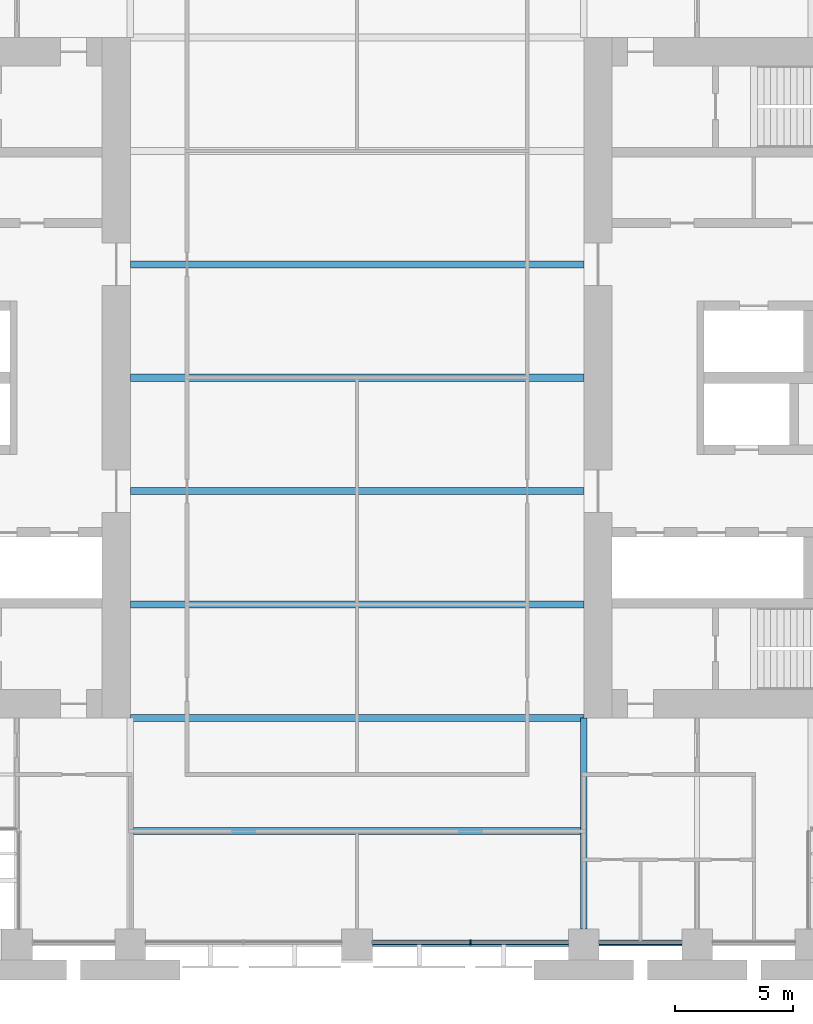
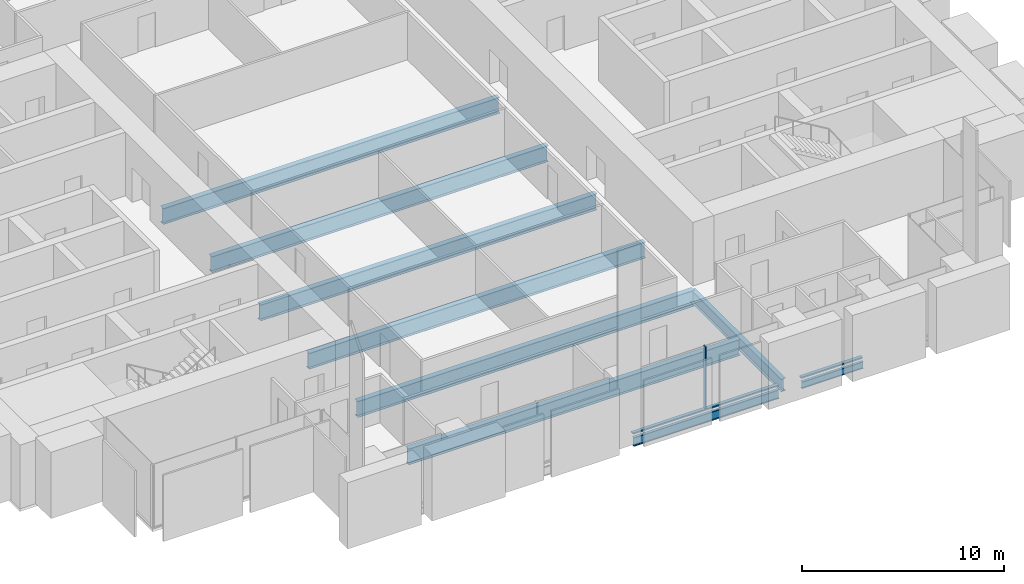
# One storey, part 3 of 14: 9 beams, 3 members, 1 element without a shape of its own.
"""IFC4 building model written with IfcOpenShell, lengths in metres."""

from ifc_helpers import new_model, si_unit, direction, frame, origin, origin_2d, place, context, subcontext, project, spatial, rectangle, i_section, extrude, material, material_profile, profile_set, type_object, element, aggregate, save


model = new_model("IFC4")

# Units and contexts
model_context = context("Model", 3, precision=1e-05, world=origin(), true_north=direction((0.0, 1.0)))
body_context = subcontext(model_context, "Body", "Model", "MODEL_VIEW")
ifc_project = project(units=[si_unit("LENGTHUNIT", "METRE"), si_unit("AREAUNIT", "SQUARE_METRE"), si_unit("VOLUMEUNIT", "CUBIC_METRE"), si_unit("PLANEANGLEUNIT", "RADIAN"), si_unit("MASSUNIT", "GRAM", prefix="KILO")], contexts=[model_context])

# Site, building, storey
site_placement = place(None, origin())
site = spatial("IfcSite", under=ifc_project, at=site_placement, CompositionType="ELEMENT")
building_placement = place(site_placement, origin())
building = spatial("IfcBuilding", under=site, at=building_placement, Name="Baori Bourse Tower", CompositionType="ELEMENT")
storey_placement = place(building_placement, frame((0.0, 0.0, 39.0)))
storey = spatial("IfcBuildingStorey", under=building, at=storey_placement, Name="L07", CompositionType="ELEMENT", Elevation=39.0)

# Curtain wall, members
ifc_material_1 = material(Name="Pale anodised aluminium", Category="aluminium")
curtain_wall_type = type_object("IfcCurtainWallType", Name="CW1 Curtain wall", PredefinedType="NOTDEFINED", material=ifc_material_1)
curtain_wall_placement = place(storey_placement, origin())
curtain_wall = element("IfcCurtainWall", 1, at=curtain_wall_placement, inside=storey, type_object=curtain_wall_type, Name="Curtain wall CW1 L07 11", PredefinedType="NOTDEFINED")
ifc_material_2 = material(Name="Pale anodised aluminium", Category="aluminium")
ifc_material_profile_1 = material_profile(ifc_material_2, rectangle(XDim=0.199951171875, YDim=0.06005859375, at=origin_2d()), Name="Mullion 60x200")
ifc_profile_set_1 = profile_set([ifc_material_profile_1], Name="Pale anodised aluminium")
member_type_1 = type_object("IfcMemberType", Name="CW1 Curtain wall mullion", PredefinedType="MULLION", material=ifc_profile_set_1)
member_1_placement = place(storey_placement, frame((33.60009765625, 0.10009765625, 0.080078125), z_axis=(0.0, 0.0, 1.0), x_axis=(0.0, 1.0, 0.0)))
member_1 = element("IfcMember", 2, at=member_1_placement, type_object=member_type_1, Name="Curtain wall CW1 mullion", PredefinedType="MULLION", context=body_context, shape_type="SweptSolid", body=[
    extrude(rectangle(XDim=0.199951171875, YDim=0.06005859375, at=origin_2d()), origin(), (0.0, 0.0, 1.0), 3.760009765625),
])
ifc_material_3 = material(Name="Pale anodised aluminium", Category="aluminium")
ifc_material_profile_2 = material_profile(ifc_material_3, rectangle(XDim=0.199951171875, YDim=0.080078125, at=origin_2d()), Name="Transom 80x200")
ifc_profile_set_2 = profile_set([ifc_material_profile_2], Name="Pale anodised aluminium")
member_type_2 = type_object("IfcMemberType", Name="CW1 Curtain wall transom", PredefinedType="USERDEFINED", material=ifc_profile_set_2)
member_2_placement = place(storey_placement, frame((29.449951171875, 0.10009765625, 0.0400390625), z_axis=(1.0, 0.0, 0.0), x_axis=(0.0, 1.0, 0.0)))
member_2 = element("IfcMember", 3, at=member_2_placement, type_object=member_type_2, Name="Curtain wall CW1 sill rail", ObjectType="TRANSOM", PredefinedType="USERDEFINED", context=body_context, shape_type="SweptSolid", body=[
    extrude(rectangle(XDim=0.199951171875, YDim=0.080078125, at=origin_2d()), origin(), (0.0, 0.0, 1.0), 8.300048828125),
])
member_3_placement = place(storey_placement, frame((39.050048828125, 0.10009765625, 0.0400390625), z_axis=(1.0, 0.0, 0.0), x_axis=(0.0, 1.0, 0.0)))
member_3 = element("IfcMember", 4, at=member_3_placement, type_object=member_type_2, Name="Curtain wall CW1 sill rail", ObjectType="TRANSOM", PredefinedType="USERDEFINED", context=body_context, shape_type="SweptSolid", body=[
    extrude(rectangle(XDim=0.199951171875, YDim=0.080078125, at=origin_2d()), origin(), (0.0, 0.0, 1.0), 3.5),
])
aggregate(curtain_wall, [member_2, member_1, member_3])

# Beams
ifc_material_4 = material(Name="Steel A992 Gr 50", Category="steel")
ifc_material_profile_3 = material_profile(ifc_material_4, i_section(OverallWidth=0.140380859375, OverallDepth=0.40380859375, WebThickness=0.007080078125, FlangeThickness=0.01123046875, at=origin_2d()), Name="W16x31")
ifc_profile_set_3 = profile_set([ifc_material_profile_3], Name="Steel A992 Gr 50")
beam_type_1 = type_object("IfcBeamType", Name="Edge beam W16x31", PredefinedType="BEAM", material=ifc_profile_set_3)
beam_1_placement = place(storey_placement, frame((39.050048828125, 0.0, -0.36181640625), z_axis=(1.0, 0.0, 0.0), x_axis=(0.0, 1.0, 0.0)))
element("IfcBeam", 5, at=beam_1_placement, inside=storey, type_object=beam_type_1, Name="Edge beam L07", PredefinedType="BEAM", context=body_context, shape_type="SweptSolid", body=[
    extrude(i_section(OverallWidth=0.140380859375, OverallDepth=0.40380859375, WebThickness=0.007080078125, FlangeThickness=0.01123046875, at=origin_2d()), origin(), (0.0, 0.0, 1.0), 3.5),
])
ifc_material_5 = material(Name="Steel A992 Gr 50", Category="steel")
ifc_material_profile_4 = material_profile(ifc_material_5, i_section(OverallWidth=0.1650390625, OverallDepth=0.52587890625, WebThickness=0.0087890625, FlangeThickness=0.011474609375, at=origin_2d()), Name="W21x44")
ifc_profile_set_4 = profile_set([ifc_material_profile_4], Name="Steel A992 Gr 50")
beam_type_2 = type_object("IfcBeamType", Name="Edge beam W21x44", PredefinedType="BEAM", material=ifc_profile_set_4)
beam_2_placement = place(storey_placement, frame((29.449951171875, 0.0, -0.4228515625), z_axis=(1.0, 0.0, 0.0), x_axis=(0.0, 1.0, 0.0)))
element("IfcBeam", 6, at=beam_2_placement, inside=storey, type_object=beam_type_2, Name="Edge beam L07", PredefinedType="BEAM", context=body_context, shape_type="SweptSolid", body=[
    extrude(i_section(OverallWidth=0.1650390625, OverallDepth=0.52587890625, WebThickness=0.0087890625, FlangeThickness=0.011474609375, at=origin_2d()), origin(), (0.0, 0.0, 1.0), 8.300048828125),
])
ifc_material_6 = material(Name="Steel A992 Gr 50", Category="steel")
ifc_material_profile_5 = material_profile(ifc_material_6, i_section(OverallWidth=0.2998046875, OverallDepth=0.97021484375, WebThickness=0.01611328125, FlangeThickness=0.02099609375, at=origin_2d()), Name="W40x149")
ifc_profile_set_5 = profile_set([ifc_material_profile_5], Name="Steel A992 Gr 50")
beam_type_3 = type_object("IfcBeamType", Name="Floor beam W40x149", PredefinedType="BEAM", material=ifc_profile_set_5)
beam_3_placement = place(storey_placement, frame((19.333251953125, 4.800048828125, -0.64501953125), z_axis=(1.0, 0.0, 0.0), x_axis=(0.0, 1.0, 0.0)))
element("IfcBeam", 7, at=beam_3_placement, inside=storey, type_object=beam_type_3, Name="Floor beam L07", PredefinedType="BEAM", context=body_context, shape_type="SweptSolid", body=[
    extrude(i_section(OverallWidth=0.2998046875, OverallDepth=0.97021484375, WebThickness=0.01611328125, FlangeThickness=0.02099609375, at=origin_2d()), origin(), (0.0, 0.0, 1.0), 18.933349609375),
])
for number, where, z_axis, x_axis, name in (
    (8, (19.199951171875, 9.60009765625, -0.64501953125), (1.0, 0.0, 0.0), (0.0, 1.0, 0.0), "Floor beam L07"),
    (9, (19.199951171875, 14.39990234375, -0.64501953125), (1.0, 0.0, 0.0), (0.0, 1.0, 0.0), "Floor beam L07"),
    (10, (19.199951171875, 19.199951171875, -0.64501953125), (1.0, 0.0, 0.0), (0.0, 1.0, 0.0), "Floor beam L07"),
    (11, (19.199951171875, 24.0, -0.64501953125), (1.0, 0.0, 0.0), (0.0, 1.0, 0.0), "Floor beam L07"),
    (12, (19.199951171875, 28.800048828125, -0.64501953125), (1.0, 0.0, 0.0), (0.0, 1.0, 0.0), "Floor beam L07"),
):
    element("IfcBeam", number, at=place(storey_placement, frame(where, z_axis=z_axis, x_axis=x_axis)), inside=storey, type_object=beam_type_3, Name=name, PredefinedType="BEAM", context=body_context, shape_type="SweptSolid", body=[
        extrude(i_section(OverallWidth=0.2998046875, OverallDepth=0.97021484375, WebThickness=0.01611328125, FlangeThickness=0.02099609375, at=origin_2d()), origin(), (0.0, 0.0, 1.0), 19.199951171875),
    ])
ifc_material_7 = material(Name="Steel A992 Gr 50", Category="steel")
ifc_material_profile_6 = material_profile(ifc_material_7, i_section(OverallWidth=0.2666015625, OverallDepth=0.7568359375, WebThickness=0.013916015625, FlangeThickness=0.019287109375, at=origin_2d()), Name="W30x108")
ifc_profile_set_6 = profile_set([ifc_material_profile_6], Name="Steel A992 Gr 50")
beam_type_4 = type_object("IfcBeamType", Name="Girder W30x108", PredefinedType="BEAM", material=ifc_profile_set_6)
beam_4_placement = place(storey_placement, frame((38.39990234375, 0.64990234375, -0.53857421875), z_axis=(0.0, 1.0, 0.0), x_axis=(-1.0, 0.0, 0.0)))
element("IfcBeam", 13, at=beam_4_placement, inside=storey, type_object=beam_type_4, Name="Girder L07", PredefinedType="BEAM", context=body_context, shape_type="SweptSolid", body=[
    extrude(i_section(OverallWidth=0.2666015625, OverallDepth=0.7568359375, WebThickness=0.013916015625, FlangeThickness=0.019287109375, at=origin_2d()), origin(), (0.0, 0.0, 1.0), 8.9501953125),
])

save(model, "model.ifc")
